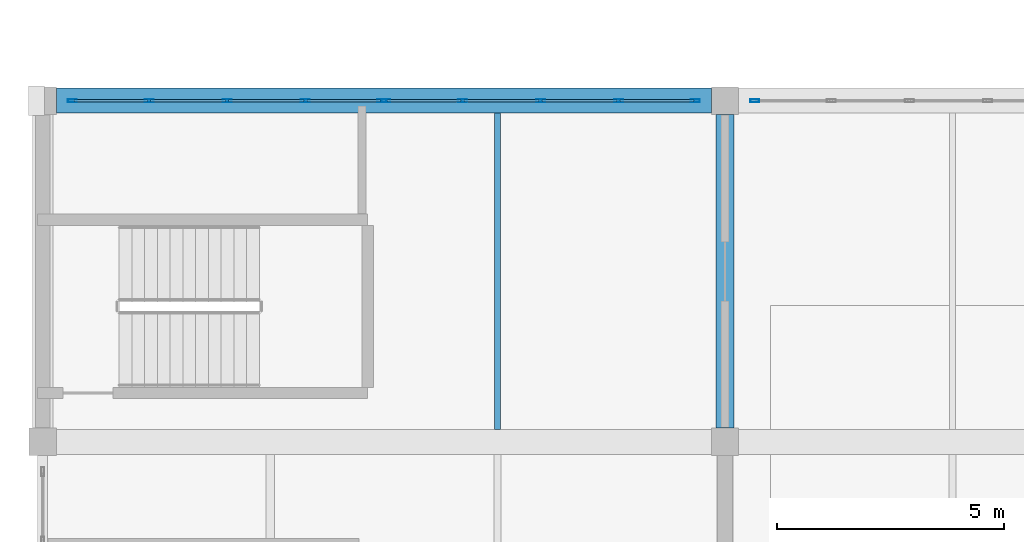
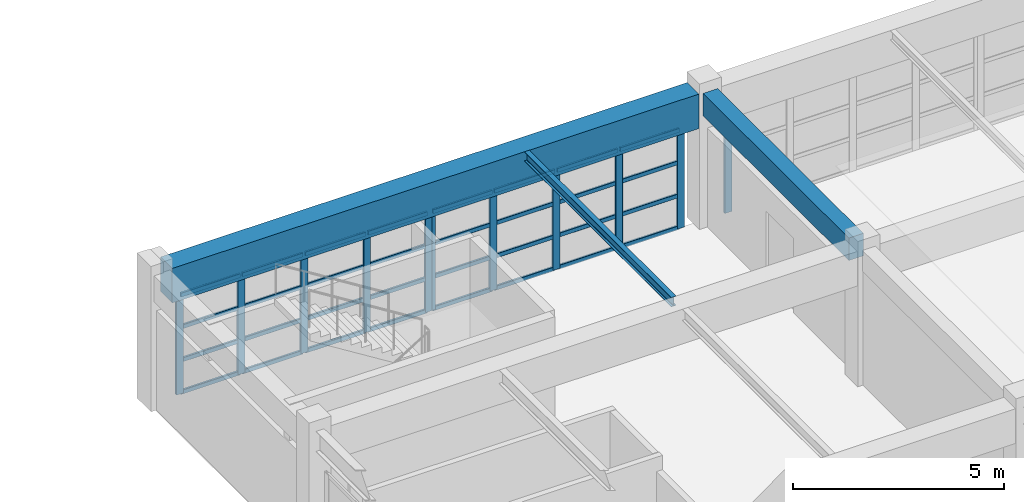
# One storey, part 19 of 124: 43 members, 3 beams, 3 elements without a shape of their own.
"""IFC4 building model written with IfcOpenShell, lengths in metres."""

from ifc_helpers import new_model, si_unit, direction, frame, origin, origin_2d, place, context, subcontext, project, spatial, rectangle, hollow_rectangle, i_section, extrude, material, material_profile, profile_set, type_object, element, aggregate, save


model = new_model("IFC4")

# Units and contexts
model_context = context("Model", 3, precision=1e-05, world=origin(), true_north=direction((0.0, 1.0)))
body_context = subcontext(model_context, "Body", "Model", "MODEL_VIEW")
ifc_project = project(units=[si_unit("LENGTHUNIT", "METRE"), si_unit("AREAUNIT", "SQUARE_METRE"), si_unit("VOLUMEUNIT", "CUBIC_METRE"), si_unit("PLANEANGLEUNIT", "RADIAN"), si_unit("MASSUNIT", "GRAM", prefix="KILO")], contexts=[model_context])

# Site, building, storey
site_placement = place(None, origin())
site = spatial("IfcSite", under=ifc_project, at=site_placement, CompositionType="ELEMENT")
building_placement = place(site_placement, origin())
building = spatial("IfcBuilding", under=site, at=building_placement, Name="Qasida Concert Hall", CompositionType="ELEMENT")
storey_placement = place(building_placement, frame((0.0, 0.0, 9.0)))
storey = spatial("IfcBuildingStorey", under=building, at=storey_placement, Name="L02", CompositionType="ELEMENT", Elevation=9.0)

# Beams
ifc_material_1 = material(Name="Concrete C40/50", Category="concrete")
ifc_material_profile_1 = material_profile(ifc_material_1, rectangle(XDim=0.39990234375, YDim=0.64990234375, at=origin_2d()), Name="RC 400x650")
ifc_profile_set_1 = profile_set([ifc_material_profile_1], Name="Concrete C40/50")
beam_type_1 = type_object("IfcBeamType", Name="BM-B1", PredefinedType="BEAM", material=ifc_profile_set_1)
beam_1_placement = place(storey_placement, frame((15.0, 45.300048828125, 3.574951171875), z_axis=(0.0, 1.0, 0.0), x_axis=(-1.0, 0.0, 0.0)))
element("IfcBeam", 1, at=beam_1_placement, inside=storey, type_object=beam_type_1, Name="L02 girder 1306", PredefinedType="BEAM", context=body_context, shape_type="SweptSolid", body=[
    extrude(rectangle(XDim=0.39990234375, YDim=0.64990234375, at=origin_2d()), origin(), (0.0, 0.0, 1.0), 6.89990234375),
])
ifc_material_profile_2 = material_profile(ifc_material_1, rectangle(XDim=0.550048828125, YDim=1.0, at=origin_2d()), Name="RC 550x1000")
ifc_profile_set_2 = profile_set([ifc_material_profile_2], Name="Concrete C40/50")
beam_type_2 = type_object("IfcBeamType", Name="BM-G3", PredefinedType="USERDEFINED", material=ifc_profile_set_2)
beam_2_placement = place(storey_placement, frame((0.300048828125, 52.5, 3.39990234375), z_axis=(1.0, 0.0, 0.0), x_axis=(0.0, 1.0, 0.0)))
element("IfcBeam", 2, at=beam_2_placement, inside=storey, type_object=beam_type_2, Name="Primary girder 1290", ObjectType="GIRDER", PredefinedType="USERDEFINED", context=body_context, shape_type="SweptSolid", body=[
    extrude(rectangle(XDim=0.550048828125, YDim=1.0, at=origin_2d()), origin(), (0.0, 0.0, 1.0), 14.39990234375),
])
ifc_material_2 = material(Name="Steel S355J2", Category="steel")
ifc_material_profile_3 = material_profile(ifc_material_2, i_section(OverallWidth=0.135009765625, OverallDepth=0.27001953125, WebThickness=0.006591796875, FlangeThickness=0.01025390625, FilletRadius=0.014892578125, at=origin_2d()), Name="IPE 270")
ifc_profile_set_3 = profile_set([ifc_material_profile_3], Name="Steel S355J2")
beam_type_3 = type_object("IfcBeamType", Name="BM-J6", PredefinedType="JOIST", material=ifc_profile_set_3)
beam_3_placement = place(storey_placement, frame((10.0, 45.27490234375, 3.764892578125), z_axis=(0.0, 1.0, 0.0), x_axis=(-1.0, 0.0, 0.0)))
element("IfcBeam", 3, at=beam_3_placement, inside=storey, type_object=beam_type_3, Name="L02 secondary joist 1332", PredefinedType="JOIST", context=body_context, shape_type="SweptSolid", body=[
    extrude(i_section(OverallWidth=0.135009765625, OverallDepth=0.27001953125, WebThickness=0.006591796875, FlangeThickness=0.01025390625, FilletRadius=0.014892578125, at=origin_2d()), origin(), (0.0, 0.0, 1.0), 6.9501953125),
])

# Curtain wall, members
ifc_material_3 = material(Name="Architectural bronze-anodized aluminium and low-E glass", Category="aluminium")
curtain_wall_type = type_object("IfcCurtainWallType", Name="CW-08", PredefinedType="NOTDEFINED", material=ifc_material_3)
curtain_wall_1_placement = place(storey_placement, origin())
curtain_wall_1 = element("IfcCurtainWall", 4, at=curtain_wall_1_placement, inside=storey, type_object=curtain_wall_type, Name="L02 curtain wall CW-08 0100", PredefinedType="NOTDEFINED")
ifc_material_4 = material(Name="Architectural bronze-anodized aluminium EN AW-6063", Category="aluminium")
ifc_material_profile_4 = material_profile(ifc_material_4, hollow_rectangle(XDim=0.06494140625, YDim=0.199951171875, WallThickness=0.0048828125, InnerFilletRadius=0.0048828125, OuterFilletRadius=0.010009765625, at=origin_2d()), Name="CWM 200x65x5")
ifc_profile_set_4 = profile_set([ifc_material_profile_4], Name="Architectural bronze-anodized aluminium EN AW-6063")
member_type_1 = type_object("IfcMemberType", Name="MB-CWM-2", PredefinedType="MULLION", material=ifc_profile_set_4)
member_1_placement = place(storey_placement, frame((0.652587890625, 52.5, 0.0), z_axis=(0.0, 0.0, 1.0), x_axis=(0.0, 1.0, 0.0)))
member_1 = element("IfcMember", 5, at=member_1_placement, type_object=member_type_1, Name="CW-08 mullion 1", PredefinedType="MULLION", context=body_context, shape_type="SweptSolid", body=[
    extrude(hollow_rectangle(XDim=0.06494140625, YDim=0.199951171875, WallThickness=0.0048828125, InnerFilletRadius=0.0048828125, OuterFilletRadius=0.010009765625, at=origin_2d()), origin(), (0.0, 0.0, 1.0), 2.8701171875),
])
member_2_placement = place(storey_placement, frame((2.33740234375, 52.5, 0.0), z_axis=(0.0, 0.0, 1.0), x_axis=(0.0, 1.0, 0.0)))
member_2 = element("IfcMember", 6, at=member_2_placement, type_object=member_type_1, Name="CW-08 mullion 2", PredefinedType="MULLION", context=body_context, shape_type="SweptSolid", body=[
    extrude(hollow_rectangle(XDim=0.06494140625, YDim=0.199951171875, WallThickness=0.0048828125, InnerFilletRadius=0.0048828125, OuterFilletRadius=0.010009765625, at=origin_2d()), origin(), (0.0, 0.0, 1.0), 2.8701171875),
])
member_3_placement = place(storey_placement, frame((4.054931640625, 52.5, 0.0), z_axis=(0.0, 0.0, 1.0), x_axis=(0.0, 1.0, 0.0)))
member_3 = element("IfcMember", 7, at=member_3_placement, type_object=member_type_1, Name="CW-08 mullion 3", PredefinedType="MULLION", context=body_context, shape_type="SweptSolid", body=[
    extrude(hollow_rectangle(XDim=0.06494140625, YDim=0.199951171875, WallThickness=0.0048828125, InnerFilletRadius=0.0048828125, OuterFilletRadius=0.010009765625, at=origin_2d()), origin(), (0.0, 0.0, 1.0), 2.8701171875),
])
member_4_placement = place(storey_placement, frame((5.7724609375, 52.5, 0.0), z_axis=(0.0, 0.0, 1.0), x_axis=(0.0, 1.0, 0.0)))
member_4 = element("IfcMember", 8, at=member_4_placement, type_object=member_type_1, Name="CW-08 mullion 4", PredefinedType="MULLION", context=body_context, shape_type="SweptSolid", body=[
    extrude(hollow_rectangle(XDim=0.06494140625, YDim=0.199951171875, WallThickness=0.0048828125, InnerFilletRadius=0.0048828125, OuterFilletRadius=0.010009765625, at=origin_2d()), origin(), (0.0, 0.0, 1.0), 2.8701171875),
])
member_5_placement = place(storey_placement, frame((7.45751953125, 52.5, 0.0), z_axis=(0.0, 0.0, 1.0), x_axis=(0.0, 1.0, 0.0)))
member_5 = element("IfcMember", 9, at=member_5_placement, type_object=member_type_1, Name="CW-08 mullion 5", PredefinedType="MULLION", context=body_context, shape_type="SweptSolid", body=[
    extrude(hollow_rectangle(XDim=0.06494140625, YDim=0.199951171875, WallThickness=0.0048828125, InnerFilletRadius=0.0048828125, OuterFilletRadius=0.010009765625, at=origin_2d()), origin(), (0.0, 0.0, 1.0), 2.8701171875),
])

curtain_wall_2_placement = place(storey_placement, origin())
curtain_wall_2 = element("IfcCurtainWall", 10, at=curtain_wall_2_placement, inside=storey, type_object=curtain_wall_type, Name="L02 curtain wall CW-08 0102", PredefinedType="NOTDEFINED")
member_6_placement = place(storey_placement, frame((7.54248046875, 52.5, 0.0), z_axis=(0.0, 0.0, 1.0), x_axis=(0.0, 1.0, 0.0)))
member_6 = element("IfcMember", 11, at=member_6_placement, type_object=member_type_1, Name="CW-08 mullion 1", PredefinedType="MULLION", context=body_context, shape_type="SweptSolid", body=[
    extrude(hollow_rectangle(XDim=0.06494140625, YDim=0.199951171875, WallThickness=0.0048828125, InnerFilletRadius=0.0048828125, OuterFilletRadius=0.010009765625, at=origin_2d()), origin(), (0.0, 0.0, 1.0), 2.8701171875),
])
member_7_placement = place(storey_placement, frame((9.2275390625, 52.5, 0.0), z_axis=(0.0, 0.0, 1.0), x_axis=(0.0, 1.0, 0.0)))
member_7 = element("IfcMember", 12, at=member_7_placement, type_object=member_type_1, Name="CW-08 mullion 2", PredefinedType="MULLION", context=body_context, shape_type="SweptSolid", body=[
    extrude(hollow_rectangle(XDim=0.06494140625, YDim=0.199951171875, WallThickness=0.0048828125, InnerFilletRadius=0.0048828125, OuterFilletRadius=0.010009765625, at=origin_2d()), origin(), (0.0, 0.0, 1.0), 2.8701171875),
])
member_8_placement = place(storey_placement, frame((10.945068359375, 52.5, 0.0), z_axis=(0.0, 0.0, 1.0), x_axis=(0.0, 1.0, 0.0)))
member_8 = element("IfcMember", 13, at=member_8_placement, type_object=member_type_1, Name="CW-08 mullion 3", PredefinedType="MULLION", context=body_context, shape_type="SweptSolid", body=[
    extrude(hollow_rectangle(XDim=0.06494140625, YDim=0.199951171875, WallThickness=0.0048828125, InnerFilletRadius=0.0048828125, OuterFilletRadius=0.010009765625, at=origin_2d()), origin(), (0.0, 0.0, 1.0), 2.8701171875),
])
member_9_placement = place(storey_placement, frame((12.66259765625, 52.5, 0.0), z_axis=(0.0, 0.0, 1.0), x_axis=(0.0, 1.0, 0.0)))
member_9 = element("IfcMember", 14, at=member_9_placement, type_object=member_type_1, Name="CW-08 mullion 4", PredefinedType="MULLION", context=body_context, shape_type="SweptSolid", body=[
    extrude(hollow_rectangle(XDim=0.06494140625, YDim=0.199951171875, WallThickness=0.0048828125, InnerFilletRadius=0.0048828125, OuterFilletRadius=0.010009765625, at=origin_2d()), origin(), (0.0, 0.0, 1.0), 2.8701171875),
])
member_10_placement = place(storey_placement, frame((14.347412109375, 52.5, 0.0), z_axis=(0.0, 0.0, 1.0), x_axis=(0.0, 1.0, 0.0)))
member_10 = element("IfcMember", 15, at=member_10_placement, type_object=member_type_1, Name="CW-08 mullion 5", PredefinedType="MULLION", context=body_context, shape_type="SweptSolid", body=[
    extrude(hollow_rectangle(XDim=0.06494140625, YDim=0.199951171875, WallThickness=0.0048828125, InnerFilletRadius=0.0048828125, OuterFilletRadius=0.010009765625, at=origin_2d()), origin(), (0.0, 0.0, 1.0), 2.8701171875),
])

# Curtain wall, member
curtain_wall_3_placement = place(storey_placement, origin())
curtain_wall_3 = element("IfcCurtainWall", 16, at=curtain_wall_3_placement, inside=storey, type_object=curtain_wall_type, Name="L02 curtain wall CW-08 0104", PredefinedType="NOTDEFINED")
member_11_placement = place(storey_placement, frame((15.652587890625, 52.5, 0.0), z_axis=(0.0, 0.0, 1.0), x_axis=(0.0, 1.0, 0.0)))
member_11 = element("IfcMember", 17, at=member_11_placement, type_object=member_type_1, Name="CW-08 mullion 1", PredefinedType="MULLION", context=body_context, shape_type="SweptSolid", body=[
    extrude(hollow_rectangle(XDim=0.06494140625, YDim=0.199951171875, WallThickness=0.0048828125, InnerFilletRadius=0.0048828125, OuterFilletRadius=0.010009765625, at=origin_2d()), origin(), (0.0, 0.0, 1.0), 2.8701171875),
])
aggregate(curtain_wall_3, [member_11])

# Member
ifc_material_profile_5 = material_profile(ifc_material_4, hollow_rectangle(XDim=0.06005859375, YDim=0.1201171875, WallThickness=0.00390625, InnerFilletRadius=0.00390625, OuterFilletRadius=0.008056640625, at=origin_2d()), Name="CWT 120x60x4")
ifc_profile_set_5 = profile_set([ifc_material_profile_5], Name="Architectural bronze-anodized aluminium EN AW-6063")
member_type_2 = type_object("IfcMemberType", Name="MB-CWT-2", PredefinedType="USERDEFINED", material=ifc_profile_set_5)
member_12_placement = place(storey_placement, frame((0.68505859375, 52.5, 0.030029296875), z_axis=(1.0, 0.0, 0.0), x_axis=(0.0, 1.0, 0.0)))
member_12 = element("IfcMember", 18, at=member_12_placement, type_object=member_type_2, Name="CW-08 transom 1.1", ObjectType="TRANSOM", PredefinedType="USERDEFINED", context=body_context, shape_type="SweptSolid", body=[
    extrude(hollow_rectangle(XDim=0.06005859375, YDim=0.1201171875, WallThickness=0.00390625, InnerFilletRadius=0.00390625, OuterFilletRadius=0.008056640625, at=origin_2d()), origin(), (0.0, 0.0, 1.0), 1.619873046875),
])

member_13_placement = place(storey_placement, frame((0.68505859375, 52.5, 0.956787109375), z_axis=(1.0, 0.0, 0.0), x_axis=(0.0, 1.0, 0.0)))
member_13 = element("IfcMember", 19, at=member_13_placement, type_object=member_type_2, Name="CW-08 transom 1.2", ObjectType="TRANSOM", PredefinedType="USERDEFINED", context=body_context, shape_type="SweptSolid", body=[
    extrude(hollow_rectangle(XDim=0.06005859375, YDim=0.1201171875, WallThickness=0.00390625, InnerFilletRadius=0.00390625, OuterFilletRadius=0.008056640625, at=origin_2d()), origin(), (0.0, 0.0, 1.0), 1.619873046875),
])

member_14_placement = place(storey_placement, frame((0.68505859375, 52.5, 1.913330078125), z_axis=(1.0, 0.0, 0.0), x_axis=(0.0, 1.0, 0.0)))
member_14 = element("IfcMember", 20, at=member_14_placement, type_object=member_type_2, Name="CW-08 transom 1.3", ObjectType="TRANSOM", PredefinedType="USERDEFINED", context=body_context, shape_type="SweptSolid", body=[
    extrude(hollow_rectangle(XDim=0.06005859375, YDim=0.1201171875, WallThickness=0.00390625, InnerFilletRadius=0.00390625, OuterFilletRadius=0.008056640625, at=origin_2d()), origin(), (0.0, 0.0, 1.0), 1.619873046875),
])

member_15_placement = place(storey_placement, frame((0.68505859375, 52.5, 2.840087890625), z_axis=(1.0, 0.0, 0.0), x_axis=(0.0, 1.0, 0.0)))
member_15 = element("IfcMember", 21, at=member_15_placement, type_object=member_type_2, Name="CW-08 transom 1.4", ObjectType="TRANSOM", PredefinedType="USERDEFINED", context=body_context, shape_type="SweptSolid", body=[
    extrude(hollow_rectangle(XDim=0.06005859375, YDim=0.1201171875, WallThickness=0.00390625, InnerFilletRadius=0.00390625, OuterFilletRadius=0.008056640625, at=origin_2d()), origin(), (0.0, 0.0, 1.0), 1.619873046875),
])

member_16_placement = place(storey_placement, frame((2.3701171875, 52.5, 0.030029296875), z_axis=(1.0, 0.0, 0.0), x_axis=(0.0, 1.0, 0.0)))
member_16 = element("IfcMember", 22, at=member_16_placement, type_object=member_type_2, Name="CW-08 transom 2.1", ObjectType="TRANSOM", PredefinedType="USERDEFINED", context=body_context, shape_type="SweptSolid", body=[
    extrude(hollow_rectangle(XDim=0.06005859375, YDim=0.1201171875, WallThickness=0.00390625, InnerFilletRadius=0.00390625, OuterFilletRadius=0.008056640625, at=origin_2d()), origin(), (0.0, 0.0, 1.0), 1.65234375),
])

member_17_placement = place(storey_placement, frame((2.3701171875, 52.5, 0.956787109375), z_axis=(1.0, 0.0, 0.0), x_axis=(0.0, 1.0, 0.0)))
member_17 = element("IfcMember", 23, at=member_17_placement, type_object=member_type_2, Name="CW-08 transom 2.2", ObjectType="TRANSOM", PredefinedType="USERDEFINED", context=body_context, shape_type="SweptSolid", body=[
    extrude(hollow_rectangle(XDim=0.06005859375, YDim=0.1201171875, WallThickness=0.00390625, InnerFilletRadius=0.00390625, OuterFilletRadius=0.008056640625, at=origin_2d()), origin(), (0.0, 0.0, 1.0), 1.65234375),
])

member_18_placement = place(storey_placement, frame((2.3701171875, 52.5, 1.913330078125), z_axis=(1.0, 0.0, 0.0), x_axis=(0.0, 1.0, 0.0)))
member_18 = element("IfcMember", 24, at=member_18_placement, type_object=member_type_2, Name="CW-08 transom 2.3", ObjectType="TRANSOM", PredefinedType="USERDEFINED", context=body_context, shape_type="SweptSolid", body=[
    extrude(hollow_rectangle(XDim=0.06005859375, YDim=0.1201171875, WallThickness=0.00390625, InnerFilletRadius=0.00390625, OuterFilletRadius=0.008056640625, at=origin_2d()), origin(), (0.0, 0.0, 1.0), 1.65234375),
])

member_19_placement = place(storey_placement, frame((2.3701171875, 52.5, 2.840087890625), z_axis=(1.0, 0.0, 0.0), x_axis=(0.0, 1.0, 0.0)))
member_19 = element("IfcMember", 25, at=member_19_placement, type_object=member_type_2, Name="CW-08 transom 2.4", ObjectType="TRANSOM", PredefinedType="USERDEFINED", context=body_context, shape_type="SweptSolid", body=[
    extrude(hollow_rectangle(XDim=0.06005859375, YDim=0.1201171875, WallThickness=0.00390625, InnerFilletRadius=0.00390625, OuterFilletRadius=0.008056640625, at=origin_2d()), origin(), (0.0, 0.0, 1.0), 1.65234375),
])

member_20_placement = place(storey_placement, frame((4.08740234375, 52.5, 0.030029296875), z_axis=(1.0, 0.0, 0.0), x_axis=(0.0, 1.0, 0.0)))
member_20 = element("IfcMember", 26, at=member_20_placement, type_object=member_type_2, Name="CW-08 transom 3.1", ObjectType="TRANSOM", PredefinedType="USERDEFINED", context=body_context, shape_type="SweptSolid", body=[
    extrude(hollow_rectangle(XDim=0.06005859375, YDim=0.1201171875, WallThickness=0.00390625, InnerFilletRadius=0.00390625, OuterFilletRadius=0.008056640625, at=origin_2d()), origin(), (0.0, 0.0, 1.0), 1.652587890625),
])

member_21_placement = place(storey_placement, frame((4.08740234375, 52.5, 0.956787109375), z_axis=(1.0, 0.0, 0.0), x_axis=(0.0, 1.0, 0.0)))
member_21 = element("IfcMember", 27, at=member_21_placement, type_object=member_type_2, Name="CW-08 transom 3.2", ObjectType="TRANSOM", PredefinedType="USERDEFINED", context=body_context, shape_type="SweptSolid", body=[
    extrude(hollow_rectangle(XDim=0.06005859375, YDim=0.1201171875, WallThickness=0.00390625, InnerFilletRadius=0.00390625, OuterFilletRadius=0.008056640625, at=origin_2d()), origin(), (0.0, 0.0, 1.0), 1.652587890625),
])

member_22_placement = place(storey_placement, frame((4.08740234375, 52.5, 1.913330078125), z_axis=(1.0, 0.0, 0.0), x_axis=(0.0, 1.0, 0.0)))
member_22 = element("IfcMember", 28, at=member_22_placement, type_object=member_type_2, Name="CW-08 transom 3.3", ObjectType="TRANSOM", PredefinedType="USERDEFINED", context=body_context, shape_type="SweptSolid", body=[
    extrude(hollow_rectangle(XDim=0.06005859375, YDim=0.1201171875, WallThickness=0.00390625, InnerFilletRadius=0.00390625, OuterFilletRadius=0.008056640625, at=origin_2d()), origin(), (0.0, 0.0, 1.0), 1.652587890625),
])

member_23_placement = place(storey_placement, frame((4.08740234375, 52.5, 2.840087890625), z_axis=(1.0, 0.0, 0.0), x_axis=(0.0, 1.0, 0.0)))
member_23 = element("IfcMember", 29, at=member_23_placement, type_object=member_type_2, Name="CW-08 transom 3.4", ObjectType="TRANSOM", PredefinedType="USERDEFINED", context=body_context, shape_type="SweptSolid", body=[
    extrude(hollow_rectangle(XDim=0.06005859375, YDim=0.1201171875, WallThickness=0.00390625, InnerFilletRadius=0.00390625, OuterFilletRadius=0.008056640625, at=origin_2d()), origin(), (0.0, 0.0, 1.0), 1.652587890625),
])

member_24_placement = place(storey_placement, frame((5.804931640625, 52.5, 0.030029296875), z_axis=(1.0, 0.0, 0.0), x_axis=(0.0, 1.0, 0.0)))
member_24 = element("IfcMember", 30, at=member_24_placement, type_object=member_type_2, Name="CW-08 transom 4.1", ObjectType="TRANSOM", PredefinedType="USERDEFINED", context=body_context, shape_type="SweptSolid", body=[
    extrude(hollow_rectangle(XDim=0.06005859375, YDim=0.1201171875, WallThickness=0.00390625, InnerFilletRadius=0.00390625, OuterFilletRadius=0.008056640625, at=origin_2d()), origin(), (0.0, 0.0, 1.0), 1.6201171875),
])

member_25_placement = place(storey_placement, frame((5.804931640625, 52.5, 0.956787109375), z_axis=(1.0, 0.0, 0.0), x_axis=(0.0, 1.0, 0.0)))
member_25 = element("IfcMember", 31, at=member_25_placement, type_object=member_type_2, Name="CW-08 transom 4.2", ObjectType="TRANSOM", PredefinedType="USERDEFINED", context=body_context, shape_type="SweptSolid", body=[
    extrude(hollow_rectangle(XDim=0.06005859375, YDim=0.1201171875, WallThickness=0.00390625, InnerFilletRadius=0.00390625, OuterFilletRadius=0.008056640625, at=origin_2d()), origin(), (0.0, 0.0, 1.0), 1.6201171875),
])

member_26_placement = place(storey_placement, frame((5.804931640625, 52.5, 1.913330078125), z_axis=(1.0, 0.0, 0.0), x_axis=(0.0, 1.0, 0.0)))
member_26 = element("IfcMember", 32, at=member_26_placement, type_object=member_type_2, Name="CW-08 transom 4.3", ObjectType="TRANSOM", PredefinedType="USERDEFINED", context=body_context, shape_type="SweptSolid", body=[
    extrude(hollow_rectangle(XDim=0.06005859375, YDim=0.1201171875, WallThickness=0.00390625, InnerFilletRadius=0.00390625, OuterFilletRadius=0.008056640625, at=origin_2d()), origin(), (0.0, 0.0, 1.0), 1.6201171875),
])

member_27_placement = place(storey_placement, frame((5.804931640625, 52.5, 2.840087890625), z_axis=(1.0, 0.0, 0.0), x_axis=(0.0, 1.0, 0.0)))
member_27 = element("IfcMember", 33, at=member_27_placement, type_object=member_type_2, Name="CW-08 transom 4.4", ObjectType="TRANSOM", PredefinedType="USERDEFINED", context=body_context, shape_type="SweptSolid", body=[
    extrude(hollow_rectangle(XDim=0.06005859375, YDim=0.1201171875, WallThickness=0.00390625, InnerFilletRadius=0.00390625, OuterFilletRadius=0.008056640625, at=origin_2d()), origin(), (0.0, 0.0, 1.0), 1.6201171875),
])

aggregate(curtain_wall_1, [member_1, member_2, member_3, member_4, member_5, member_12, member_13, member_14, member_15, member_16, member_17, member_18, member_19, member_20, member_21, member_22, member_23, member_24, member_25, member_26, member_27])

member_28_placement = place(storey_placement, frame((7.574951171875, 52.5, 0.030029296875), z_axis=(1.0, 0.0, 0.0), x_axis=(0.0, 1.0, 0.0)))
member_28 = element("IfcMember", 34, at=member_28_placement, type_object=member_type_2, Name="CW-08 transom 1.1", ObjectType="TRANSOM", PredefinedType="USERDEFINED", context=body_context, shape_type="SweptSolid", body=[
    extrude(hollow_rectangle(XDim=0.06005859375, YDim=0.1201171875, WallThickness=0.00390625, InnerFilletRadius=0.00390625, OuterFilletRadius=0.008056640625, at=origin_2d()), origin(), (0.0, 0.0, 1.0), 1.6201171875),
])

member_29_placement = place(storey_placement, frame((7.574951171875, 52.5, 0.956787109375), z_axis=(1.0, 0.0, 0.0), x_axis=(0.0, 1.0, 0.0)))
member_29 = element("IfcMember", 35, at=member_29_placement, type_object=member_type_2, Name="CW-08 transom 1.2", ObjectType="TRANSOM", PredefinedType="USERDEFINED", context=body_context, shape_type="SweptSolid", body=[
    extrude(hollow_rectangle(XDim=0.06005859375, YDim=0.1201171875, WallThickness=0.00390625, InnerFilletRadius=0.00390625, OuterFilletRadius=0.008056640625, at=origin_2d()), origin(), (0.0, 0.0, 1.0), 1.6201171875),
])

member_30_placement = place(storey_placement, frame((7.574951171875, 52.5, 1.913330078125), z_axis=(1.0, 0.0, 0.0), x_axis=(0.0, 1.0, 0.0)))
member_30 = element("IfcMember", 36, at=member_30_placement, type_object=member_type_2, Name="CW-08 transom 1.3", ObjectType="TRANSOM", PredefinedType="USERDEFINED", context=body_context, shape_type="SweptSolid", body=[
    extrude(hollow_rectangle(XDim=0.06005859375, YDim=0.1201171875, WallThickness=0.00390625, InnerFilletRadius=0.00390625, OuterFilletRadius=0.008056640625, at=origin_2d()), origin(), (0.0, 0.0, 1.0), 1.6201171875),
])

member_31_placement = place(storey_placement, frame((7.574951171875, 52.5, 2.840087890625), z_axis=(1.0, 0.0, 0.0), x_axis=(0.0, 1.0, 0.0)))
member_31 = element("IfcMember", 37, at=member_31_placement, type_object=member_type_2, Name="CW-08 transom 1.4", ObjectType="TRANSOM", PredefinedType="USERDEFINED", context=body_context, shape_type="SweptSolid", body=[
    extrude(hollow_rectangle(XDim=0.06005859375, YDim=0.1201171875, WallThickness=0.00390625, InnerFilletRadius=0.00390625, OuterFilletRadius=0.008056640625, at=origin_2d()), origin(), (0.0, 0.0, 1.0), 1.6201171875),
])

member_32_placement = place(storey_placement, frame((9.260009765625, 52.5, 0.030029296875), z_axis=(1.0, 0.0, 0.0), x_axis=(0.0, 1.0, 0.0)))
member_32 = element("IfcMember", 38, at=member_32_placement, type_object=member_type_2, Name="CW-08 transom 2.1", ObjectType="TRANSOM", PredefinedType="USERDEFINED", context=body_context, shape_type="SweptSolid", body=[
    extrude(hollow_rectangle(XDim=0.06005859375, YDim=0.1201171875, WallThickness=0.00390625, InnerFilletRadius=0.00390625, OuterFilletRadius=0.008056640625, at=origin_2d()), origin(), (0.0, 0.0, 1.0), 1.652587890625),
])

member_33_placement = place(storey_placement, frame((9.260009765625, 52.5, 0.956787109375), z_axis=(1.0, 0.0, 0.0), x_axis=(0.0, 1.0, 0.0)))
member_33 = element("IfcMember", 39, at=member_33_placement, type_object=member_type_2, Name="CW-08 transom 2.2", ObjectType="TRANSOM", PredefinedType="USERDEFINED", context=body_context, shape_type="SweptSolid", body=[
    extrude(hollow_rectangle(XDim=0.06005859375, YDim=0.1201171875, WallThickness=0.00390625, InnerFilletRadius=0.00390625, OuterFilletRadius=0.008056640625, at=origin_2d()), origin(), (0.0, 0.0, 1.0), 1.652587890625),
])

member_34_placement = place(storey_placement, frame((9.260009765625, 52.5, 1.913330078125), z_axis=(1.0, 0.0, 0.0), x_axis=(0.0, 1.0, 0.0)))
member_34 = element("IfcMember", 40, at=member_34_placement, type_object=member_type_2, Name="CW-08 transom 2.3", ObjectType="TRANSOM", PredefinedType="USERDEFINED", context=body_context, shape_type="SweptSolid", body=[
    extrude(hollow_rectangle(XDim=0.06005859375, YDim=0.1201171875, WallThickness=0.00390625, InnerFilletRadius=0.00390625, OuterFilletRadius=0.008056640625, at=origin_2d()), origin(), (0.0, 0.0, 1.0), 1.652587890625),
])

member_35_placement = place(storey_placement, frame((9.260009765625, 52.5, 2.840087890625), z_axis=(1.0, 0.0, 0.0), x_axis=(0.0, 1.0, 0.0)))
member_35 = element("IfcMember", 41, at=member_35_placement, type_object=member_type_2, Name="CW-08 transom 2.4", ObjectType="TRANSOM", PredefinedType="USERDEFINED", context=body_context, shape_type="SweptSolid", body=[
    extrude(hollow_rectangle(XDim=0.06005859375, YDim=0.1201171875, WallThickness=0.00390625, InnerFilletRadius=0.00390625, OuterFilletRadius=0.008056640625, at=origin_2d()), origin(), (0.0, 0.0, 1.0), 1.652587890625),
])

member_36_placement = place(storey_placement, frame((10.9775390625, 52.5, 0.030029296875), z_axis=(1.0, 0.0, 0.0), x_axis=(0.0, 1.0, 0.0)))
member_36 = element("IfcMember", 42, at=member_36_placement, type_object=member_type_2, Name="CW-08 transom 3.1", ObjectType="TRANSOM", PredefinedType="USERDEFINED", context=body_context, shape_type="SweptSolid", body=[
    extrude(hollow_rectangle(XDim=0.06005859375, YDim=0.1201171875, WallThickness=0.00390625, InnerFilletRadius=0.00390625, OuterFilletRadius=0.008056640625, at=origin_2d()), origin(), (0.0, 0.0, 1.0), 1.65234375),
])

member_37_placement = place(storey_placement, frame((10.9775390625, 52.5, 0.956787109375), z_axis=(1.0, 0.0, 0.0), x_axis=(0.0, 1.0, 0.0)))
member_37 = element("IfcMember", 43, at=member_37_placement, type_object=member_type_2, Name="CW-08 transom 3.2", ObjectType="TRANSOM", PredefinedType="USERDEFINED", context=body_context, shape_type="SweptSolid", body=[
    extrude(hollow_rectangle(XDim=0.06005859375, YDim=0.1201171875, WallThickness=0.00390625, InnerFilletRadius=0.00390625, OuterFilletRadius=0.008056640625, at=origin_2d()), origin(), (0.0, 0.0, 1.0), 1.65234375),
])

member_38_placement = place(storey_placement, frame((10.9775390625, 52.5, 1.913330078125), z_axis=(1.0, 0.0, 0.0), x_axis=(0.0, 1.0, 0.0)))
member_38 = element("IfcMember", 44, at=member_38_placement, type_object=member_type_2, Name="CW-08 transom 3.3", ObjectType="TRANSOM", PredefinedType="USERDEFINED", context=body_context, shape_type="SweptSolid", body=[
    extrude(hollow_rectangle(XDim=0.06005859375, YDim=0.1201171875, WallThickness=0.00390625, InnerFilletRadius=0.00390625, OuterFilletRadius=0.008056640625, at=origin_2d()), origin(), (0.0, 0.0, 1.0), 1.65234375),
])

member_39_placement = place(storey_placement, frame((10.9775390625, 52.5, 2.840087890625), z_axis=(1.0, 0.0, 0.0), x_axis=(0.0, 1.0, 0.0)))
member_39 = element("IfcMember", 45, at=member_39_placement, type_object=member_type_2, Name="CW-08 transom 3.4", ObjectType="TRANSOM", PredefinedType="USERDEFINED", context=body_context, shape_type="SweptSolid", body=[
    extrude(hollow_rectangle(XDim=0.06005859375, YDim=0.1201171875, WallThickness=0.00390625, InnerFilletRadius=0.00390625, OuterFilletRadius=0.008056640625, at=origin_2d()), origin(), (0.0, 0.0, 1.0), 1.65234375),
])

member_40_placement = place(storey_placement, frame((12.695068359375, 52.5, 0.030029296875), z_axis=(1.0, 0.0, 0.0), x_axis=(0.0, 1.0, 0.0)))
member_40 = element("IfcMember", 46, at=member_40_placement, type_object=member_type_2, Name="CW-08 transom 4.1", ObjectType="TRANSOM", PredefinedType="USERDEFINED", context=body_context, shape_type="SweptSolid", body=[
    extrude(hollow_rectangle(XDim=0.06005859375, YDim=0.1201171875, WallThickness=0.00390625, InnerFilletRadius=0.00390625, OuterFilletRadius=0.008056640625, at=origin_2d()), origin(), (0.0, 0.0, 1.0), 1.619873046875),
])

member_41_placement = place(storey_placement, frame((12.695068359375, 52.5, 0.956787109375), z_axis=(1.0, 0.0, 0.0), x_axis=(0.0, 1.0, 0.0)))
member_41 = element("IfcMember", 47, at=member_41_placement, type_object=member_type_2, Name="CW-08 transom 4.2", ObjectType="TRANSOM", PredefinedType="USERDEFINED", context=body_context, shape_type="SweptSolid", body=[
    extrude(hollow_rectangle(XDim=0.06005859375, YDim=0.1201171875, WallThickness=0.00390625, InnerFilletRadius=0.00390625, OuterFilletRadius=0.008056640625, at=origin_2d()), origin(), (0.0, 0.0, 1.0), 1.619873046875),
])

member_42_placement = place(storey_placement, frame((12.695068359375, 52.5, 1.913330078125), z_axis=(1.0, 0.0, 0.0), x_axis=(0.0, 1.0, 0.0)))
member_42 = element("IfcMember", 48, at=member_42_placement, type_object=member_type_2, Name="CW-08 transom 4.3", ObjectType="TRANSOM", PredefinedType="USERDEFINED", context=body_context, shape_type="SweptSolid", body=[
    extrude(hollow_rectangle(XDim=0.06005859375, YDim=0.1201171875, WallThickness=0.00390625, InnerFilletRadius=0.00390625, OuterFilletRadius=0.008056640625, at=origin_2d()), origin(), (0.0, 0.0, 1.0), 1.619873046875),
])

member_43_placement = place(storey_placement, frame((12.695068359375, 52.5, 2.840087890625), z_axis=(1.0, 0.0, 0.0), x_axis=(0.0, 1.0, 0.0)))
member_43 = element("IfcMember", 49, at=member_43_placement, type_object=member_type_2, Name="CW-08 transom 4.4", ObjectType="TRANSOM", PredefinedType="USERDEFINED", context=body_context, shape_type="SweptSolid", body=[
    extrude(hollow_rectangle(XDim=0.06005859375, YDim=0.1201171875, WallThickness=0.00390625, InnerFilletRadius=0.00390625, OuterFilletRadius=0.008056640625, at=origin_2d()), origin(), (0.0, 0.0, 1.0), 1.619873046875),
])

aggregate(curtain_wall_2, [member_6, member_7, member_8, member_9, member_10, member_28, member_29, member_30, member_31, member_32, member_33, member_34, member_35, member_36, member_37, member_38, member_39, member_40, member_41, member_42, member_43])

save(model, "model.ifc")
